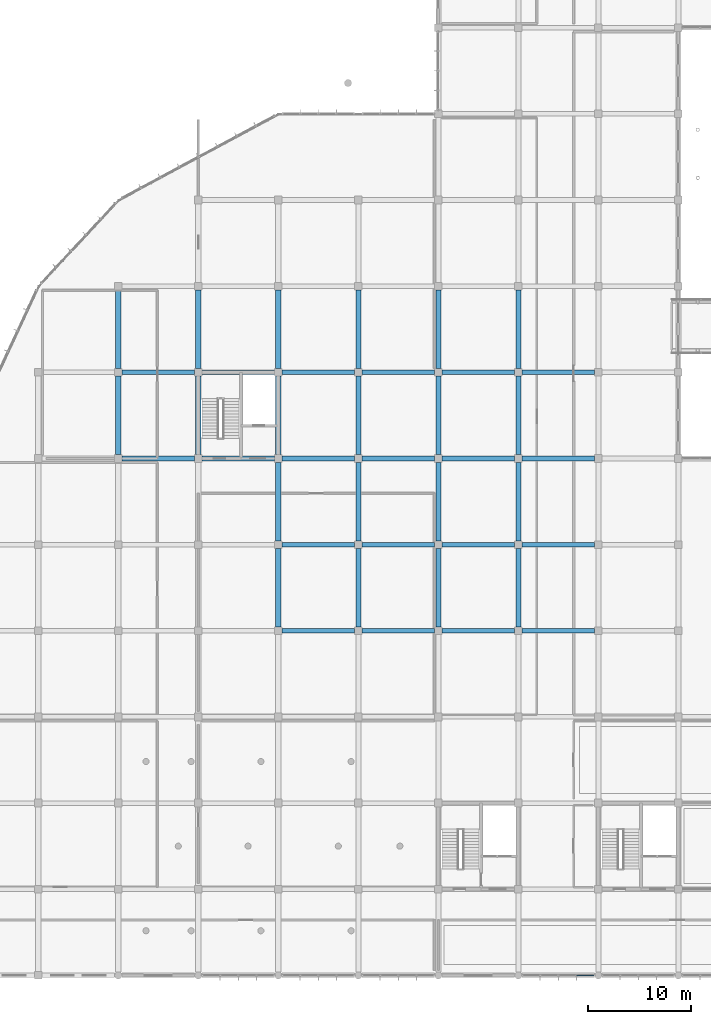
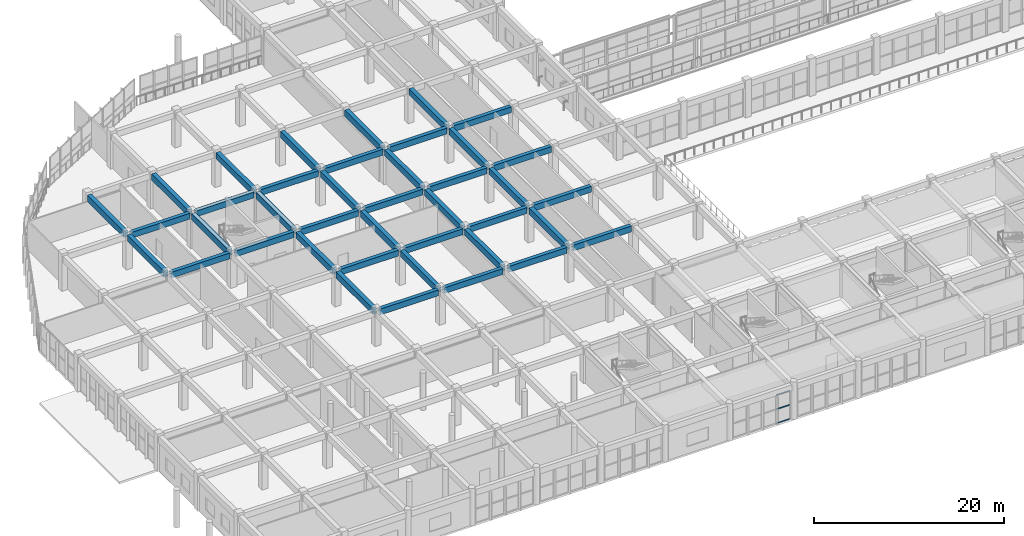
# One storey, part 27 of 175: 40 beams, 3 members, 1 element without a shape of its own.
"""IFC4 building model written with IfcOpenShell, lengths in metres."""

from ifc_helpers import new_model, si_unit, direction, frame, origin, origin_2d, place, context, subcontext, project, spatial, rectangle, hollow_rectangle, extrude, material, layer, layer_set, material_profile, profile_set, type_object, element, aggregate, save


model = new_model("IFC4")

# Units and contexts
model_context = context("Model", 3, precision=1e-05, world=origin(), true_north=direction((0.0, 1.0)))
body_context = subcontext(model_context, "Body", "Model", "MODEL_VIEW")
ifc_project = project(units=[si_unit("LENGTHUNIT", "METRE"), si_unit("AREAUNIT", "SQUARE_METRE"), si_unit("VOLUMEUNIT", "CUBIC_METRE"), si_unit("PLANEANGLEUNIT", "RADIAN"), si_unit("MASSUNIT", "GRAM", prefix="KILO")], contexts=[model_context])

# Site, building, storey
site_placement = place(None, origin())
site = spatial("IfcSite", under=ifc_project, at=site_placement, CompositionType="ELEMENT")
building_placement = place(site_placement, origin())
building = spatial("IfcBuilding", under=site, at=building_placement, Name="Zizhar Promenade General Hospital", CompositionType="ELEMENT")
storey_placement = place(building_placement, frame((0.0, 0.0, 4.800048828125)))
storey = spatial("IfcBuildingStorey", under=building, at=storey_placement, Name="L01", CompositionType="ELEMENT", Elevation=4.800048828125)

# Beams
ifc_material_1 = material(Name="Concrete C35/45", Category="concrete")
ifc_material_profile_1 = material_profile(ifc_material_1, rectangle(XDim=0.449951171875, YDim=0.75, at=origin_2d()))
ifc_profile_set_1 = profile_set([ifc_material_profile_1], Name="Concrete C35/45")
beam_type_1 = type_object("IfcBeamType", Name="BM-RC-450x750", PredefinedType="BEAM", material=ifc_profile_set_1)
for number, where, z_axis, x_axis, name in (
    (1, (15.97509765625, 50.39990234375, 4.094970703125), (1.0, 0.0, 0.0), (0.0, 1.0, 0.0), "Grid Beam X L01 (2-6)"),
    (2, (15.97509765625, 58.800048828125, 4.094970703125), (1.0, 0.0, 0.0), (0.0, 1.0, 0.0), "Grid Beam X L01 (2-7)"),
):
    element("IfcBeam", number, at=place(storey_placement, frame(where, z_axis=z_axis, x_axis=x_axis)), inside=storey, type_object=beam_type_1, Name=name, PredefinedType="BEAM", context=body_context, shape_type="SweptSolid", body=[
        extrude(rectangle(XDim=0.449951171875, YDim=0.75, at=origin_2d()), origin(), (0.0, 0.0, 1.0), 7.0498046875),
    ])
for number, where, z_axis, x_axis, name in (
    (3, (23.77490234375, 50.39990234375, 4.094970703125), (1.0, 0.0, 0.0), (0.0, 1.0, 0.0), "Grid Beam X L01 (3-6)"),
    (4, (23.77490234375, 58.800048828125, 4.094970703125), (1.0, 0.0, 0.0), (0.0, 1.0, 0.0), "Grid Beam X L01 (3-7)"),
    (5, (31.574951171875, 33.60009765625, 4.094970703125), (1.0, 0.0, 0.0), (0.0, 1.0, 0.0), "Grid Beam X L01 (4-4)"),
    (6, (31.574951171875, 42.0, 4.094970703125), (1.0, 0.0, 0.0), (0.0, 1.0, 0.0), "Grid Beam X L01 (4-5)"),
    (7, (31.574951171875, 50.39990234375, 4.094970703125), (1.0, 0.0, 0.0), (0.0, 1.0, 0.0), "Grid Beam X L01 (4-6)"),
    (8, (31.574951171875, 58.800048828125, 4.094970703125), (1.0, 0.0, 0.0), (0.0, 1.0, 0.0), "Grid Beam X L01 (4-7)"),
    (9, (39.375, 33.60009765625, 4.094970703125), (1.0, 0.0, 0.0), (0.0, 1.0, 0.0), "Grid Beam X L01 (5-4)"),
    (10, (39.375, 42.0, 4.094970703125), (1.0, 0.0, 0.0), (0.0, 1.0, 0.0), "Grid Beam X L01 (5-5)"),
    (11, (39.375, 50.39990234375, 4.094970703125), (1.0, 0.0, 0.0), (0.0, 1.0, 0.0), "Grid Beam X L01 (5-6)"),
    (12, (39.375, 58.800048828125, 4.094970703125), (1.0, 0.0, 0.0), (0.0, 1.0, 0.0), "Grid Beam X L01 (5-7)"),
    (13, (47.175048828125, 33.60009765625, 4.094970703125), (1.0, 0.0, 0.0), (0.0, 1.0, 0.0), "Grid Beam X L01 (6-4)"),
    (14, (47.175048828125, 42.0, 4.094970703125), (1.0, 0.0, 0.0), (0.0, 1.0, 0.0), "Grid Beam X L01 (6-5)"),
    (15, (47.175048828125, 50.39990234375, 4.094970703125), (1.0, 0.0, 0.0), (0.0, 1.0, 0.0), "Grid Beam X L01 (6-6)"),
    (16, (47.175048828125, 58.800048828125, 4.094970703125), (1.0, 0.0, 0.0), (0.0, 1.0, 0.0), "Grid Beam X L01 (6-7)"),
):
    element("IfcBeam", number, at=place(storey_placement, frame(where, z_axis=z_axis, x_axis=x_axis)), inside=storey, type_object=beam_type_1, Name=name, PredefinedType="BEAM", context=body_context, shape_type="SweptSolid", body=[
        extrude(rectangle(XDim=0.449951171875, YDim=0.75, at=origin_2d()), origin(), (0.0, 0.0, 1.0), 7.050048828125),
    ])
for number, where, z_axis, x_axis, name in (
    (17, (54.97509765625, 33.60009765625, 4.094970703125), (1.0, 0.0, 0.0), (0.0, 1.0, 0.0), "Grid Beam X L01 (7-4)"),
    (18, (54.97509765625, 42.0, 4.094970703125), (1.0, 0.0, 0.0), (0.0, 1.0, 0.0), "Grid Beam X L01 (7-5)"),
    (19, (54.97509765625, 50.39990234375, 4.094970703125), (1.0, 0.0, 0.0), (0.0, 1.0, 0.0), "Grid Beam X L01 (7-6)"),
    (20, (54.97509765625, 58.800048828125, 4.094970703125), (1.0, 0.0, 0.0), (0.0, 1.0, 0.0), "Grid Beam X L01 (7-7)"),
):
    element("IfcBeam", number, at=place(storey_placement, frame(where, z_axis=z_axis, x_axis=x_axis)), inside=storey, type_object=beam_type_1, Name=name, PredefinedType="BEAM", context=body_context, shape_type="SweptSolid", body=[
        extrude(rectangle(XDim=0.449951171875, YDim=0.75, at=origin_2d()), origin(), (0.0, 0.0, 1.0), 7.0498046875),
    ])
ifc_material_2 = material(Name="Concrete C35/45", Category="concrete")
ifc_material_profile_2 = material_profile(ifc_material_2, rectangle(XDim=0.5, YDim=0.800048828125, at=origin_2d()))
ifc_profile_set_2 = profile_set([ifc_material_profile_2], Name="Concrete C35/45")
beam_type_2 = type_object("IfcBeamType", Name="BM-RC-500x800", PredefinedType="BEAM", material=ifc_profile_set_2)
beam_1_placement = place(storey_placement, frame((15.60009765625, 50.77490234375, 4.070068359375), z_axis=(0.0, 1.0, 0.0), x_axis=(-1.0, 0.0, 0.0)))
element("IfcBeam", 21, at=beam_1_placement, inside=storey, type_object=beam_type_2, Name="Grid Beam Y L01 (2-6)", PredefinedType="BEAM", context=body_context, shape_type="SweptSolid", body=[
    extrude(rectangle(XDim=0.5, YDim=0.800048828125, at=origin_2d()), origin(), (0.0, 0.0, 1.0), 7.650146484375),
])
beam_2_placement = place(storey_placement, frame((15.60009765625, 59.175048828125, 4.070068359375), z_axis=(0.0, 1.0, 0.0), x_axis=(-1.0, 0.0, 0.0)))
element("IfcBeam", 22, at=beam_2_placement, inside=storey, type_object=beam_type_2, Name="Grid Beam Y L01 (2-7)", PredefinedType="BEAM", context=body_context, shape_type="SweptSolid", body=[
    extrude(rectangle(XDim=0.5, YDim=0.800048828125, at=origin_2d()), origin(), (0.0, 0.0, 1.0), 7.64990234375),
])
beam_3_placement = place(storey_placement, frame((23.39990234375, 50.77490234375, 4.070068359375), z_axis=(0.0, 1.0, 0.0), x_axis=(-1.0, 0.0, 0.0)))
element("IfcBeam", 23, at=beam_3_placement, inside=storey, type_object=beam_type_2, Name="Grid Beam Y L01 (3-6)", PredefinedType="BEAM", context=body_context, shape_type="SweptSolid", body=[
    extrude(rectangle(XDim=0.5, YDim=0.800048828125, at=origin_2d()), origin(), (0.0, 0.0, 1.0), 7.650146484375),
])
for number, where, z_axis, x_axis, name in (
    (24, (23.39990234375, 59.175048828125, 4.070068359375), (0.0, 1.0, 0.0), (-1.0, 0.0, 0.0), "Grid Beam Y L01 (3-7)"),
    (25, (31.199951171875, 33.97509765625, 4.070068359375), (0.0, 1.0, 0.0), (-1.0, 0.0, 0.0), "Grid Beam Y L01 (4-4)"),
    (26, (31.199951171875, 42.375, 4.070068359375), (0.0, 1.0, 0.0), (-1.0, 0.0, 0.0), "Grid Beam Y L01 (4-5)"),
):
    element("IfcBeam", number, at=place(storey_placement, frame(where, z_axis=z_axis, x_axis=x_axis)), inside=storey, type_object=beam_type_2, Name=name, PredefinedType="BEAM", context=body_context, shape_type="SweptSolid", body=[
        extrude(rectangle(XDim=0.5, YDim=0.800048828125, at=origin_2d()), origin(), (0.0, 0.0, 1.0), 7.64990234375),
    ])
beam_4_placement = place(storey_placement, frame((31.199951171875, 50.77490234375, 4.070068359375), z_axis=(0.0, 1.0, 0.0), x_axis=(-1.0, 0.0, 0.0)))
element("IfcBeam", 27, at=beam_4_placement, inside=storey, type_object=beam_type_2, Name="Grid Beam Y L01 (4-6)", PredefinedType="BEAM", context=body_context, shape_type="SweptSolid", body=[
    extrude(rectangle(XDim=0.5, YDim=0.800048828125, at=origin_2d()), origin(), (0.0, 0.0, 1.0), 7.650146484375),
])
for number, where, z_axis, x_axis, name in (
    (28, (31.199951171875, 59.175048828125, 4.070068359375), (0.0, 1.0, 0.0), (-1.0, 0.0, 0.0), "Grid Beam Y L01 (4-7)"),
    (29, (39.0, 33.97509765625, 4.070068359375), (0.0, 1.0, 0.0), (-1.0, 0.0, 0.0), "Grid Beam Y L01 (5-4)"),
    (30, (39.0, 42.375, 4.070068359375), (0.0, 1.0, 0.0), (-1.0, 0.0, 0.0), "Grid Beam Y L01 (5-5)"),
):
    element("IfcBeam", number, at=place(storey_placement, frame(where, z_axis=z_axis, x_axis=x_axis)), inside=storey, type_object=beam_type_2, Name=name, PredefinedType="BEAM", context=body_context, shape_type="SweptSolid", body=[
        extrude(rectangle(XDim=0.5, YDim=0.800048828125, at=origin_2d()), origin(), (0.0, 0.0, 1.0), 7.64990234375),
    ])
beam_5_placement = place(storey_placement, frame((39.0, 50.77490234375, 4.070068359375), z_axis=(0.0, 1.0, 0.0), x_axis=(-1.0, 0.0, 0.0)))
element("IfcBeam", 31, at=beam_5_placement, inside=storey, type_object=beam_type_2, Name="Grid Beam Y L01 (5-6)", PredefinedType="BEAM", context=body_context, shape_type="SweptSolid", body=[
    extrude(rectangle(XDim=0.5, YDim=0.800048828125, at=origin_2d()), origin(), (0.0, 0.0, 1.0), 7.650146484375),
])
for number, where, z_axis, x_axis, name in (
    (32, (39.0, 59.175048828125, 4.070068359375), (0.0, 1.0, 0.0), (-1.0, 0.0, 0.0), "Grid Beam Y L01 (5-7)"),
    (33, (46.800048828125, 33.97509765625, 4.070068359375), (0.0, 1.0, 0.0), (-1.0, 0.0, 0.0), "Grid Beam Y L01 (6-4)"),
    (34, (46.800048828125, 42.375, 4.070068359375), (0.0, 1.0, 0.0), (-1.0, 0.0, 0.0), "Grid Beam Y L01 (6-5)"),
):
    element("IfcBeam", number, at=place(storey_placement, frame(where, z_axis=z_axis, x_axis=x_axis)), inside=storey, type_object=beam_type_2, Name=name, PredefinedType="BEAM", context=body_context, shape_type="SweptSolid", body=[
        extrude(rectangle(XDim=0.5, YDim=0.800048828125, at=origin_2d()), origin(), (0.0, 0.0, 1.0), 7.64990234375),
    ])
beam_6_placement = place(storey_placement, frame((46.800048828125, 50.77490234375, 4.070068359375), z_axis=(0.0, 1.0, 0.0), x_axis=(-1.0, 0.0, 0.0)))
element("IfcBeam", 35, at=beam_6_placement, inside=storey, type_object=beam_type_2, Name="Grid Beam Y L01 (6-6)", PredefinedType="BEAM", context=body_context, shape_type="SweptSolid", body=[
    extrude(rectangle(XDim=0.5, YDim=0.800048828125, at=origin_2d()), origin(), (0.0, 0.0, 1.0), 7.650146484375),
])
for number, where, z_axis, x_axis, name in (
    (36, (46.800048828125, 59.175048828125, 4.070068359375), (0.0, 1.0, 0.0), (-1.0, 0.0, 0.0), "Grid Beam Y L01 (6-7)"),
    (37, (54.60009765625, 33.97509765625, 4.070068359375), (0.0, 1.0, 0.0), (-1.0, 0.0, 0.0), "Grid Beam Y L01 (7-4)"),
    (38, (54.60009765625, 42.375, 4.070068359375), (0.0, 1.0, 0.0), (-1.0, 0.0, 0.0), "Grid Beam Y L01 (7-5)"),
):
    element("IfcBeam", number, at=place(storey_placement, frame(where, z_axis=z_axis, x_axis=x_axis)), inside=storey, type_object=beam_type_2, Name=name, PredefinedType="BEAM", context=body_context, shape_type="SweptSolid", body=[
        extrude(rectangle(XDim=0.5, YDim=0.800048828125, at=origin_2d()), origin(), (0.0, 0.0, 1.0), 7.64990234375),
    ])
beam_7_placement = place(storey_placement, frame((54.60009765625, 50.77490234375, 4.070068359375), z_axis=(0.0, 1.0, 0.0), x_axis=(-1.0, 0.0, 0.0)))
element("IfcBeam", 39, at=beam_7_placement, inside=storey, type_object=beam_type_2, Name="Grid Beam Y L01 (7-6)", PredefinedType="BEAM", context=body_context, shape_type="SweptSolid", body=[
    extrude(rectangle(XDim=0.5, YDim=0.800048828125, at=origin_2d()), origin(), (0.0, 0.0, 1.0), 7.650146484375),
])
beam_8_placement = place(storey_placement, frame((54.60009765625, 59.175048828125, 4.070068359375), z_axis=(0.0, 1.0, 0.0), x_axis=(-1.0, 0.0, 0.0)))
element("IfcBeam", 40, at=beam_8_placement, inside=storey, type_object=beam_type_2, Name="Grid Beam Y L01 (7-7)", PredefinedType="BEAM", context=body_context, shape_type="SweptSolid", body=[
    extrude(rectangle(XDim=0.5, YDim=0.800048828125, at=origin_2d()), origin(), (0.0, 0.0, 1.0), 7.64990234375),
])

# Curtain wall, members
ifc_material_3 = material(Name="Anodised aluminium 6063-T6 and low-E glass", Category="aluminium")
ifc_layer = layer(ifc_material_3, 0.159912109375)
ifc_layer_set = layer_set([ifc_layer], Name="Anodised aluminium 6063-T6 and low-E glass")
curtain_wall_type = type_object("IfcCurtainWallType", Name="CW-DT-MOD1", PredefinedType="NOTDEFINED", material=ifc_layer_set)
curtain_wall_placement = place(storey_placement, origin())
curtain_wall = element("IfcCurtainWall", 41, at=curtain_wall_placement, inside=storey, type_object=curtain_wall_type, Name="Riverfront Clinical Curtain Wall L01-6", PredefinedType="NOTDEFINED")
ifc_material_4 = material(Name="Anodised aluminium 6063-T6", Category="aluminium")
ifc_material_profile_3 = material_profile(ifc_material_4, hollow_rectangle(XDim=0.06005859375, YDim=0.14990234375, WallThickness=0.00390625, at=origin_2d()))
ifc_profile_set_3 = profile_set([ifc_material_profile_3], Name="Anodised aluminium 6063-T6")
member_type = type_object("IfcMemberType", Name="CWT-ALU-150x60", PredefinedType="USERDEFINED", material=ifc_profile_set_3)
member_1_placement = place(storey_placement, frame((61.9599609375, 0.0, 0.030029296875), z_axis=(-1.0, 0.0, 0.0), x_axis=(0.0, -1.0, 0.0)))
member_1 = element("IfcMember", 42, at=member_1_placement, type_object=member_type, Name="CW-07 transom 1.1", ObjectType="TRANSOM", PredefinedType="USERDEFINED", context=body_context, shape_type="SweptSolid", body=[
    extrude(hollow_rectangle(XDim=0.06005859375, YDim=0.14990234375, WallThickness=0.00390625, at=origin_2d()), origin(), (0.0, 0.0, 1.0), 1.64990234375),
])
member_2_placement = place(storey_placement, frame((61.9599609375, 0.0, 1.83984375), z_axis=(-1.0, 0.0, 0.0), x_axis=(0.0, -1.0, 0.0)))
member_2 = element("IfcMember", 43, at=member_2_placement, type_object=member_type, Name="CW-07 transom 1.2", ObjectType="TRANSOM", PredefinedType="USERDEFINED", context=body_context, shape_type="SweptSolid", body=[
    extrude(hollow_rectangle(XDim=0.06005859375, YDim=0.14990234375, WallThickness=0.00390625, at=origin_2d()), origin(), (0.0, 0.0, 1.0), 1.64990234375),
])
member_3_placement = place(storey_placement, frame((61.9599609375, 0.0, 3.64990234375), z_axis=(-1.0, 0.0, 0.0), x_axis=(0.0, -1.0, 0.0)))
member_3 = element("IfcMember", 44, at=member_3_placement, type_object=member_type, Name="CW-07 transom 1.3", ObjectType="TRANSOM", PredefinedType="USERDEFINED", context=body_context, shape_type="SweptSolid", body=[
    extrude(hollow_rectangle(XDim=0.06005859375, YDim=0.14990234375, WallThickness=0.00390625, at=origin_2d()), origin(), (0.0, 0.0, 1.0), 1.64990234375),
])
aggregate(curtain_wall, [member_1, member_2, member_3])

save(model, "model.ifc")
